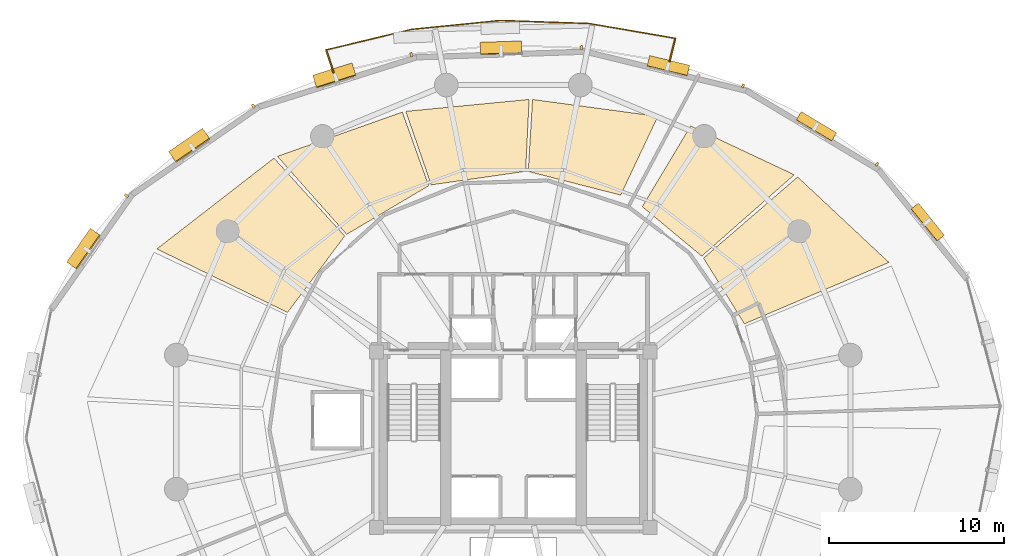
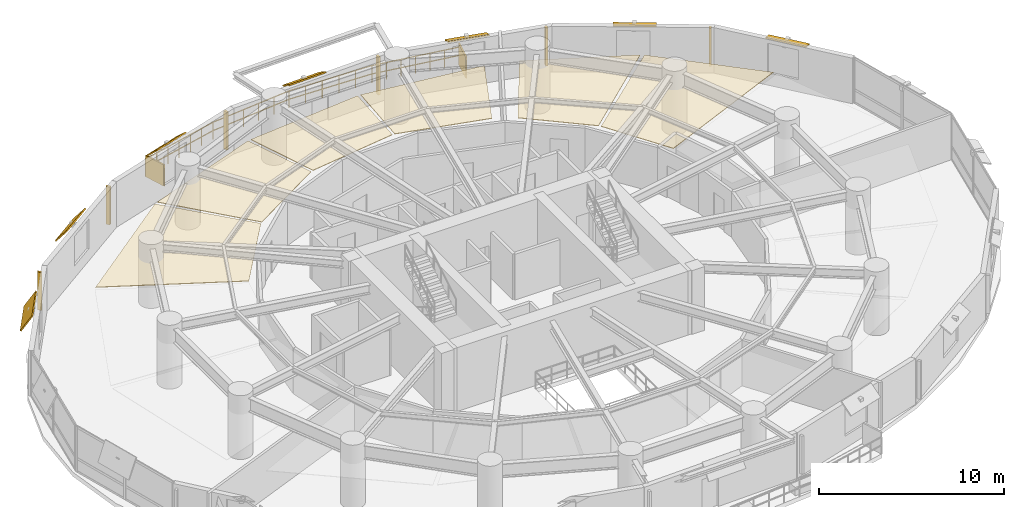
# One storey, part 15 of 15: 15 shading devices, 6 coverings, 1 railing.
"""IFC4 building model written with IfcOpenShell, lengths in metres."""

from ifc_helpers import new_model, si_unit, direction, frame, origin, origin_2d, place, context, subcontext, project, spatial, polyline, rectangle, outline, extrude, material, layer, layer_set, type_object, element, save


model = new_model("IFC4")

# Units and contexts
model_context = context("Model", 3, precision=1e-05, world=origin(), true_north=direction((0.0, 1.0)))
body_context = subcontext(model_context, "Body", "Model", "MODEL_VIEW")
ifc_project = project(units=[si_unit("LENGTHUNIT", "METRE"), si_unit("AREAUNIT", "SQUARE_METRE"), si_unit("VOLUMEUNIT", "CUBIC_METRE"), si_unit("PLANEANGLEUNIT", "RADIAN"), si_unit("MASSUNIT", "GRAM", prefix="KILO"), si_unit("THERMODYNAMICTEMPERATUREUNIT", "KELVIN"), si_unit("POWERUNIT", "WATT")], contexts=[model_context])

# Site, building, storey
site_placement = place(None, origin())
site = spatial("IfcSite", under=ifc_project, at=site_placement, CompositionType="ELEMENT")
building_placement = place(site_placement, origin())
building = spatial("IfcBuilding", under=site, at=building_placement, Name="Ocrelia Relay Tower", CompositionType="ELEMENT")
storey_placement = place(building_placement, frame((0.0, 0.0, 38.39990234375)))
storey = spatial("IfcBuildingStorey", under=building, at=storey_placement, Name="L08", CompositionType="ELEMENT", Elevation=38.39990234375)

# Coverings
ifc_material_1 = material(Name="Mineral-fiber acoustic ceiling tile", Category="gypsum")
ifc_layer_1 = layer(ifc_material_1, 0.0400390625, Name="Mineral-fiber acoustic ceiling tile")
ifc_layer_set_1 = layer_set([ifc_layer_1], Name="Mineral-fiber acoustic ceiling tile")
covering_type_1 = type_object("IfcCoveringType", Name="COV-CEIL-ACOUSTIC", PredefinedType="CEILING", material=ifc_layer_set_1)
covering_1_placement = place(storey_placement, frame((0.0, 0.0, 2.920166015625)))
element("IfcCovering", 1, at=covering_1_placement, inside=storey, type_object=covering_type_1, Name="L08 Operations Control Office Suspended Ceiling 2", PredefinedType="CEILING", context=body_context, shape_type="SweptSolid", body=[
    extrude(outline(polyline([(47.178466796875, 31.602783203125), (55.42333984375, 35.1083984375), (50.21630859375, 39.98095703125), (44.845703125, 35.3505859375), (47.178466796875, 31.602783203125)])), origin(), (0.0, 0.0, 1.0), 0.0400390625),
])
covering_2_placement = place(storey_placement, frame((0.0, 0.0, 2.920166015625)))
element("IfcCovering", 2, at=covering_2_placement, inside=storey, type_object=covering_type_1, Name="L08 Operations Control Office Suspended Ceiling 3", PredefinedType="CEILING", context=body_context, shape_type="SweptSolid", body=[
    extrude(outline(polyline([(44.7470703125, 35.463623046875), (50.02099609375, 40.10791015625), (44.110595703125, 42.893798828125), (41.35400390625, 38.28759765625), (44.7470703125, 35.463623046875)])), origin(), (0.0, 0.0, 1.0), 0.0400390625),
])
ifc_material_2 = material(Name="Cleanroom metal-pan acoustic ceiling", Category="aluminium")
ifc_layer_2 = layer(ifc_material_2, 0.0400390625, Name="Cleanroom metal-pan acoustic ceiling")
ifc_layer_set_2 = layer_set([ifc_layer_2], Name="Cleanroom metal-pan acoustic ceiling")
covering_type_2 = type_object("IfcCoveringType", Name="COV-CEIL-CLEAN", PredefinedType="CEILING", material=ifc_layer_set_2)
covering_3_placement = place(storey_placement, frame((0.0, 0.0, 2.920166015625)))
element("IfcCovering", 3, at=covering_3_placement, inside=storey, type_object=covering_type_2, Name="L08 Colocation Data Hall A Suspended Ceiling 1", PredefinedType="CEILING", context=body_context, shape_type="SweptSolid", body=[
    extrude(outline(polyline([(40.119873046875, 38.946533203125), (42.24365234375, 43.439453125), (35.09326171875, 44.401611328125), (34.849365234375, 40.294921875), (40.119873046875, 38.946533203125)])), origin(), (0.0, 0.0, 1.0), 0.0400390625),
])
covering_4_placement = place(storey_placement, frame((0.0, 0.0, 2.920166015625)))
element("IfcCovering", 4, at=covering_4_placement, inside=storey, type_object=covering_type_2, Name="L08 Colocation Data Hall A Suspended Ceiling 2", PredefinedType="CEILING", context=body_context, shape_type="SweptSolid", body=[
    extrude(outline(polyline([(34.699462890625, 40.302978515625), (34.900146484375, 44.40478515625), (27.8623046875, 43.724609375), (29.314208984375, 39.53173828125), (34.699462890625, 40.302978515625)])), origin(), (0.0, 0.0, 1.0), 0.0400390625),
])
covering_5_placement = place(storey_placement, frame((0.0, 0.0, 2.920166015625)))
element("IfcCovering", 5, at=covering_5_placement, inside=storey, type_object=covering_type_2, Name="L08 Colocation Data Hall A Suspended Ceiling 3", PredefinedType="CEILING", context=body_context, shape_type="SweptSolid", body=[
    extrude(outline(polyline([(29.1728515625, 39.48193359375), (27.66845703125, 43.68310546875), (20.542236328125, 41.15771484375), (24.49267578125, 36.70849609375), (29.1728515625, 39.48193359375)])), origin(), (0.0, 0.0, 1.0), 0.0400390625),
])
covering_6_placement = place(storey_placement, frame((0.0, 0.0, 2.920166015625)))
element("IfcCovering", 6, at=covering_6_placement, inside=storey, type_object=covering_type_2, Name="L08 Colocation Data Hall A Suspended Ceiling 4", PredefinedType="CEILING", context=body_context, shape_type="SweptSolid", body=[
    extrude(outline(polyline([(24.381103515625, 36.6083984375), (20.347412109375, 41.056884765625), (13.664306640625, 35.87451171875), (21.118408203125, 32.2548828125), (24.381103515625, 36.6083984375)])), origin(), (0.0, 0.0, 1.0), 0.0400390625),
])

# Railing
ifc_material_3 = material(Name="Steel S355 balustrade", Category="steel")
railing_type = type_object("IfcRailingType", Name="RL-EXT-GUARD-1150", PredefinedType="GUARDRAIL", material=ifc_material_3)
railing_placement = place(storey_placement, frame((23.749755859375, 45.903564453125, 0.0)))
element("IfcRailing", 7, at=railing_placement, inside=storey, type_object=railing_type, Name="L08 Loggia Balcony Guard Rail B1", PredefinedType="GUARDRAIL", context=body_context, shape_type="SweptSolid", body=[
    extrude(rectangle(XDim=0.048095703125, YDim=0.048095703125, at=origin_2d()), frame((0.0, 0.0, 1.1259765625), z_axis=(-0.301735100856, 0.953391802415, 0.0), x_axis=(-0.953391802415, -0.301735100856, 0.0)), (0.0, 0.0, 1.0), 1.393310546875),
    extrude(rectangle(XDim=0.048095703125, YDim=0.048095703125, at=origin_2d()), frame((0.0, 0.0, 0.574951171875), z_axis=(-0.301735100856, 0.953391802415, 0.0), x_axis=(-0.953391802415, -0.301735100856, 0.0)), (0.0, 0.0, 1.0), 1.393310546875),
    extrude(rectangle(XDim=0.048095703125, YDim=0.048095703125, at=origin_2d()), frame((-0.42041015625, 1.328369140625, 1.1259765625), z_axis=(0.972259766282, 0.233903712818, 0.0), x_axis=(-0.233903712818, 0.972259766282, 0.0)), (0.0, 0.0, 1.0), 2.505126953125),
    extrude(rectangle(XDim=0.048095703125, YDim=0.048095703125, at=origin_2d()), frame((-0.42041015625, 1.328369140625, 0.574951171875), z_axis=(0.972259766282, 0.233903712818, 0.0), x_axis=(-0.233903712818, 0.972259766282, 0.0)), (0.0, 0.0, 1.0), 2.505126953125),
    extrude(rectangle(XDim=0.048095703125, YDim=0.048095703125, at=origin_2d()), frame((2.01513671875, 1.914306640625, 1.1259765625), z_axis=(0.972254433401, 0.233925878713, 0.0), x_axis=(-0.233925878713, 0.972254433401, 0.0)), (0.0, 0.0, 1.0), 2.5048828125),
    extrude(rectangle(XDim=0.048095703125, YDim=0.048095703125, at=origin_2d()), frame((2.01513671875, 1.914306640625, 0.574951171875), z_axis=(0.972254433401, 0.233925878713, 0.0), x_axis=(-0.233925878713, 0.972254433401, 0.0)), (0.0, 0.0, 1.0), 2.5048828125),
    extrude(rectangle(XDim=0.048095703125, YDim=0.048095703125, at=origin_2d()), frame((4.450439453125, 2.500244140625, 1.1259765625), z_axis=(0.994981198551, 0.100062053393, 0.0), x_axis=(-0.100062053393, 0.994981198551, 0.0)), (0.0, 0.0, 1.0), 5.065185546875),
    extrude(rectangle(XDim=0.048095703125, YDim=0.048095703125, at=origin_2d()), frame((4.450439453125, 2.500244140625, 0.574951171875), z_axis=(0.994981198551, 0.100062053393, 0.0), x_axis=(-0.100062053393, 0.994981198551, 0.0)), (0.0, 0.0, 1.0), 5.065185546875),
    extrude(rectangle(XDim=0.048095703125, YDim=0.048095703125, at=origin_2d()), frame((9.490234375, 3.007080078125, 1.1259765625), z_axis=(0.999424120041, -0.033932702219, 0.0), x_axis=(0.033932702219, 0.999424120041, 0.0)), (0.0, 0.0, 1.0), 5.065185546875),
    extrude(rectangle(XDim=0.048095703125, YDim=0.048095703125, at=origin_2d()), frame((9.490234375, 3.007080078125, 0.574951171875), z_axis=(0.999424120041, -0.033932702219, 0.0), x_axis=(0.033932702219, 0.999424120041, 0.0)), (0.0, 0.0, 1.0), 5.065185546875),
    extrude(rectangle(XDim=0.048095703125, YDim=0.048095703125, at=origin_2d()), frame((14.552490234375, 2.835205078125, 1.1259765625), z_axis=(0.985632918791, -0.168901596783, 0.0), x_axis=(0.168901596783, 0.985632918791, 0.0)), (0.0, 0.0, 1.0), 2.5048828125),
    extrude(rectangle(XDim=0.048095703125, YDim=0.048095703125, at=origin_2d()), frame((14.552490234375, 2.835205078125, 0.574951171875), z_axis=(0.985632918791, -0.168901596783, 0.0), x_axis=(0.168901596783, 0.985632918791, 0.0)), (0.0, 0.0, 1.0), 2.5048828125),
    extrude(rectangle(XDim=0.048095703125, YDim=0.048095703125, at=origin_2d()), frame((17.021484375, 2.412109375, 1.1259765625), z_axis=(0.985632918791, -0.168901596783, 0.0), x_axis=(0.168901596783, 0.985632918791, 0.0)), (0.0, 0.0, 1.0), 2.5048828125),
    extrude(rectangle(XDim=0.048095703125, YDim=0.048095703125, at=origin_2d()), frame((17.021484375, 2.412109375, 0.574951171875), z_axis=(0.985632918791, -0.168901596783, 0.0), x_axis=(0.168901596783, 0.985632918791, 0.0)), (0.0, 0.0, 1.0), 2.5048828125),
    extrude(rectangle(XDim=0.048095703125, YDim=0.048095703125, at=origin_2d()), frame((19.490478515625, 1.989013671875, 1.1259765625), z_axis=(-0.23791595281, -0.971285745493, 0.0), x_axis=(0.971285745493, -0.23791595281, 0.0)), (0.0, 0.0, 1.0), 1.3935546875),
    extrude(rectangle(XDim=0.048095703125, YDim=0.048095703125, at=origin_2d()), frame((19.490478515625, 1.989013671875, 0.574951171875), z_axis=(-0.23791595281, -0.971285745493, 0.0), x_axis=(0.971285745493, -0.23791595281, 0.0)), (0.0, 0.0, 1.0), 1.3935546875),
    extrude(rectangle(XDim=0.0419921875, YDim=0.0419921875, at=origin_2d()), origin(), (0.0, 0.0, 1.0), 1.101806640625),
    extrude(rectangle(XDim=0.0419921875, YDim=0.0419921875, at=origin_2d()), frame((-0.210205078125, 0.6640625, 0.0)), (0.0, 0.0, 1.0), 1.101806640625),
    extrude(rectangle(XDim=0.0419921875, YDim=0.0419921875, at=origin_2d()), frame((-0.42041015625, 1.328369140625, 0.0)), (0.0, 0.0, 1.0), 1.101806640625),
    extrude(rectangle(XDim=0.0419921875, YDim=0.0419921875, at=origin_2d()), frame((0.391357421875, 1.523681640625, 0.0)), (0.0, 0.0, 1.0), 1.101806640625),
    extrude(rectangle(XDim=0.0419921875, YDim=0.0419921875, at=origin_2d()), frame((1.203369140625, 1.718994140625, 0.0)), (0.0, 0.0, 1.0), 1.101806640625),
    extrude(rectangle(XDim=0.0419921875, YDim=0.0419921875, at=origin_2d()), frame((2.01513671875, 1.914306640625, 0.0)), (0.0, 0.0, 1.0), 1.101806640625),
    extrude(rectangle(XDim=0.0419921875, YDim=0.0419921875, at=origin_2d()), frame((2.826904296875, 2.109619140625, 0.0)), (0.0, 0.0, 1.0), 1.101806640625),
    extrude(rectangle(XDim=0.0419921875, YDim=0.0419921875, at=origin_2d()), frame((3.638671875, 2.304931640625, 0.0)), (0.0, 0.0, 1.0), 1.101806640625),
    extrude(rectangle(XDim=0.0419921875, YDim=0.0419921875, at=origin_2d()), frame((4.450439453125, 2.500244140625, 0.0)), (0.0, 0.0, 1.0), 1.101806640625),
    extrude(rectangle(XDim=0.0419921875, YDim=0.0419921875, at=origin_2d()), frame((5.45849609375, 2.6015625, 0.0)), (0.0, 0.0, 1.0), 1.101806640625),
    extrude(rectangle(XDim=0.0419921875, YDim=0.0419921875, at=origin_2d()), frame((6.46630859375, 2.702880859375, 0.0)), (0.0, 0.0, 1.0), 1.101806640625),
    extrude(rectangle(XDim=0.0419921875, YDim=0.0419921875, at=origin_2d()), frame((7.474365234375, 2.804443359375, 0.0)), (0.0, 0.0, 1.0), 1.101806640625),
    extrude(rectangle(XDim=0.0419921875, YDim=0.0419921875, at=origin_2d()), frame((8.482177734375, 2.90576171875, 0.0)), (0.0, 0.0, 1.0), 1.101806640625),
    extrude(rectangle(XDim=0.0419921875, YDim=0.0419921875, at=origin_2d()), frame((9.490234375, 3.007080078125, 0.0)), (0.0, 0.0, 1.0), 1.101806640625),
    extrude(rectangle(XDim=0.0419921875, YDim=0.0419921875, at=origin_2d()), frame((10.502685546875, 2.97265625, 0.0)), (0.0, 0.0, 1.0), 1.101806640625),
    extrude(rectangle(XDim=0.0419921875, YDim=0.0419921875, at=origin_2d()), frame((11.51513671875, 2.938232421875, 0.0)), (0.0, 0.0, 1.0), 1.101806640625),
    extrude(rectangle(XDim=0.0419921875, YDim=0.0419921875, at=origin_2d()), frame((12.527587890625, 2.904052734375, 0.0)), (0.0, 0.0, 1.0), 1.101806640625),
    extrude(rectangle(XDim=0.0419921875, YDim=0.0419921875, at=origin_2d()), frame((13.5400390625, 2.86962890625, 0.0)), (0.0, 0.0, 1.0), 1.101806640625),
    extrude(rectangle(XDim=0.0419921875, YDim=0.0419921875, at=origin_2d()), frame((14.552490234375, 2.835205078125, 0.0)), (0.0, 0.0, 1.0), 1.101806640625),
    extrude(rectangle(XDim=0.0419921875, YDim=0.0419921875, at=origin_2d()), frame((15.37548828125, 2.694091796875, 0.0)), (0.0, 0.0, 1.0), 1.101806640625),
    extrude(rectangle(XDim=0.0419921875, YDim=0.0419921875, at=origin_2d()), frame((16.198486328125, 2.55322265625, 0.0)), (0.0, 0.0, 1.0), 1.101806640625),
    extrude(rectangle(XDim=0.0419921875, YDim=0.0419921875, at=origin_2d()), frame((17.021484375, 2.412109375, 0.0)), (0.0, 0.0, 1.0), 1.101806640625),
    extrude(rectangle(XDim=0.0419921875, YDim=0.0419921875, at=origin_2d()), frame((17.844482421875, 2.27099609375, 0.0)), (0.0, 0.0, 1.0), 1.101806640625),
    extrude(rectangle(XDim=0.0419921875, YDim=0.0419921875, at=origin_2d()), frame((18.66748046875, 2.130126953125, 0.0)), (0.0, 0.0, 1.0), 1.101806640625),
    extrude(rectangle(XDim=0.0419921875, YDim=0.0419921875, at=origin_2d()), frame((19.490478515625, 1.989013671875, 0.0)), (0.0, 0.0, 1.0), 1.101806640625),
    extrude(rectangle(XDim=0.0419921875, YDim=0.0419921875, at=origin_2d()), frame((19.32470703125, 1.312255859375, 0.0)), (0.0, 0.0, 1.0), 1.101806640625),
    extrude(rectangle(XDim=0.0419921875, YDim=0.0419921875, at=origin_2d()), frame((19.158935546875, 0.635498046875, 0.0)), (0.0, 0.0, 1.0), 1.101806640625),
])

# Shading devices
ifc_material_4 = material(Name="Perforated oxide terracotta solar screen", Category="masonry")
ifc_layer_3 = layer(ifc_material_4, 0.090087890625, Name="Perforated oxide terracotta solar screen")
ifc_layer_set_3 = layer_set([ifc_layer_3], Name="Perforated oxide terracotta solar screen")
shading_device_type_1 = type_object("IfcShadingDeviceType", Name="SH-BALC-SCREEN", PredefinedType="USERDEFINED", material=ifc_layer_set_3)
for number, where, z_axis, x_axis, name in (
    (8, (43.074462890625, 47.2158203125, 0.000244140625), (0.0, 0.0, 1.0), (0.23788945417, 0.971292235939, 0.0), "L08 Balcony Perforated Terracotta Screen B1-1"),
    (9, (23.53955078125, 46.56787109375, 0.000244140625), (0.0, 0.0, 1.0), (-0.30176669072, 0.953381804091, 0.0), "L08 Balcony Perforated Terracotta Screen B1-2"),
):
    element("IfcShadingDevice", number, at=place(storey_placement, frame(where, z_axis=z_axis, x_axis=x_axis)), inside=storey, type_object=shading_device_type_1, Name=name, ObjectType="SCREEN", PredefinedType="USERDEFINED", context=body_context, shape_type="SweptSolid", body=[
        extrude(rectangle(XDim=1.340087890625, YDim=0.090087890625, at=origin_2d()), origin(), (0.0, 0.0, 1.0), 1.39990234375),
    ])
ifc_material_5 = material(Name="Extruded oxide terracotta vertical baguette", Category="masonry")
shading_device_type_2 = type_object("IfcShadingDeviceType", Name="SH-TERR-BAGUETTE", PredefinedType="USERDEFINED", material=ifc_material_5)
for number, where, z_axis, x_axis, name in (
    (10, (54.7421875, 40.71044921875, 0.25), (0.0, 0.0, 1.0), (-0.858622807297, 0.512607915263, 0.0), "L08 Oxide Terracotta Vertical Baguette 03"),
    (11, (47.10205078125, 45.17724609375, 0.25), (0.0, 0.0, 1.0), (-0.971624686713, 0.23652794374, 0.0), "L08 Oxide Terracotta Vertical Baguette 04"),
    (12, (37.8818359375, 47.3466796875, 0.25), (0.0, 0.0, 1.0), (-0.999450239567, -0.033154466215, 0.0), "L08 Oxide Terracotta Vertical Baguette 05"),
    (13, (28.181884765625, 46.9521484375, 0.25), (0.0, 0.0, 1.0), (-0.953809765377, -0.300411270547, 0.0), "L08 Oxide Terracotta Vertical Baguette 06"),
    (14, (19.16796875, 44.028076171875, 0.25), (0.0, 0.0, 1.0), (-0.822773563062, -0.568369302414, 0.0), "L08 Oxide Terracotta Vertical Baguette 07"),
    (15, (11.935546875, 38.913818359375, 0.25), (0.0, 0.0, 1.0), (-0.574989950059, -0.818160471626, 0.0), "L08 Oxide Terracotta Vertical Baguette 08"),
):
    element("IfcShadingDevice", number, at=place(storey_placement, frame(where, z_axis=z_axis, x_axis=x_axis)), inside=storey, type_object=shading_device_type_2, Name=name, ObjectType="BAGUETTE", PredefinedType="USERDEFINED", context=body_context, shape_type="SweptSolid", body=[
        extrude(rectangle(XDim=0.139892578125, YDim=0.239990234375, at=origin_2d()), origin(), (0.0, 0.0, 1.0), 2.5),
    ])
ifc_material_6 = material(Name="Extruded oxide terracotta fin", Category="masonry")
ifc_layer_4 = layer(ifc_material_6, 0.080078125, Name="Extruded oxide terracotta fin")
ifc_layer_set_4 = layer_set([ifc_layer_4], Name="Extruded oxide terracotta fin")
shading_device_type_3 = type_object("IfcShadingDeviceType", Name="SH-VISOR-FIN-DEEP", PredefinedType="USERDEFINED", material=ifc_layer_set_4)
shading_device_1_placement = place(storey_placement, frame((9.517333984375, 35.86474609375, 2.819091796875), z_axis=(-0.696699621563, 0.489629228619, 0.524283182828), x_axis=(-0.574989950059, -0.818160471626, 0.0)))
element("IfcShadingDevice", 16, at=shading_device_1_placement, inside=storey, type_object=shading_device_type_3, Name="L08 Canted Terracotta Sun-Visor Fin 08", ObjectType="FIN", PredefinedType="USERDEFINED", context=body_context, shape_type="SweptSolid", body=[
    extrude(rectangle(XDim=2.35009765625, YDim=1.222900390625, at=origin_2d()), origin(), (0.0, 0.0, 1.0), 0.080078125),
])
ifc_layer_5 = layer(ifc_material_6, 0.080078125, Name="Extruded oxide terracotta fin")
ifc_layer_set_5 = layer_set([ifc_layer_5], Name="Extruded oxide terracotta fin")
shading_device_type_4 = type_object("IfcShadingDeviceType", Name="SH-VISOR-FIN-MED", PredefinedType="USERDEFINED", material=ifc_layer_set_5)
shading_device_2_placement = place(storey_placement, frame((33.292724609375, 47.3251953125, 2.806396484375), z_axis=(-0.017852906922, 0.538180647653, 0.84264041216), x_axis=(-0.999450239567, -0.033154466215, 0.0)))
element("IfcShadingDevice", 17, at=shading_device_2_placement, inside=storey, type_object=shading_device_type_4, Name="L08 Canted Terracotta Sun-Visor Fin 05", ObjectType="FIN", PredefinedType="USERDEFINED", context=body_context, shape_type="SweptSolid", body=[
    extrude(rectangle(XDim=2.35009765625, YDim=0.79296875, at=origin_2d()), origin(), (0.0, 0.0, 1.0), 0.080078125),
])
shading_device_3_placement = place(storey_placement, frame((23.798583984375, 45.746337890625, 2.810791015625), z_axis=(-0.204764927517, 0.650131358643, 0.731710694857), x_axis=(-0.953809765377, -0.300411270547, 0.0)))
element("IfcShadingDevice", 18, at=shading_device_3_placement, inside=storey, type_object=shading_device_type_4, Name="L08 Canted Terracotta Sun-Visor Fin 06", ObjectType="FIN", PredefinedType="USERDEFINED", context=body_context, shape_type="SweptSolid", body=[
    extrude(rectangle(XDim=2.35009765625, YDim=0.966064453125, at=origin_2d()), origin(), (0.0, 0.0, 1.0), 0.080078125),
])
shading_device_4_placement = place(storey_placement, frame((15.537353515625, 41.757568359375, 2.8154296875), z_axis=(-0.447575586324, 0.647912120403, 0.616348909921), x_axis=(-0.822773563062, -0.568369302414, 0.0)))
element("IfcShadingDevice", 19, at=shading_device_4_placement, inside=storey, type_object=shading_device_type_4, Name="L08 Canted Terracotta Sun-Visor Fin 07", ObjectType="FIN", PredefinedType="USERDEFINED", context=body_context, shape_type="SweptSolid", body=[
    extrude(rectangle(XDim=2.35009765625, YDim=1.115966796875, at=origin_2d()), origin(), (0.0, 0.0, 1.0), 0.080078125),
])
ifc_layer_6 = layer(ifc_material_6, 0.080078125, Name="Extruded oxide terracotta fin")
ifc_layer_set_6 = layer_set([ifc_layer_6], Name="Extruded oxide terracotta fin")
shading_device_type_5 = type_object("IfcShadingDeviceType", Name="SH-VISOR-FIN-SHAL", PredefinedType="USERDEFINED", material=ifc_layer_set_6)
shading_device_5_placement = place(storey_placement, frame((57.622314453125, 37.397216796875, 2.802001953125), z_axis=(0.240490808421, 0.194050699245, 0.951056516295), x_axis=(-0.627961253838, 0.778244604015, 0.0)))
element("IfcShadingDevice", 20, at=shading_device_5_placement, inside=storey, type_object=shading_device_type_5, Name="L08 Canted Terracotta Sun-Visor Fin 02", ObjectType="FIN", PredefinedType="USERDEFINED", context=body_context, shape_type="SweptSolid", body=[
    extrude(rectangle(XDim=2.35009765625, YDim=0.550048828125, at=origin_2d()), origin(), (0.0, 0.0, 1.0), 0.080078125),
])
shading_device_6_placement = place(storey_placement, frame((51.27783203125, 42.855712890625, 2.80224609375), z_axis=(0.169846424252, 0.284494267955, 0.943512164028), x_axis=(-0.858622807297, 0.512607915263, 0.0)))
element("IfcShadingDevice", 21, at=shading_device_6_placement, inside=storey, type_object=shading_device_type_5, Name="L08 Canted Terracotta Sun-Visor Fin 03", ObjectType="FIN", PredefinedType="USERDEFINED", context=body_context, shape_type="SweptSolid", body=[
    extrude(rectangle(XDim=2.35009765625, YDim=0.572021484375, at=origin_2d()), origin(), (0.0, 0.0, 1.0), 0.080078125),
])
shading_device_7_placement = place(storey_placement, frame((42.837646484375, 46.308837890625, 2.803466796875), z_axis=(0.096280001778, 0.395505178309, 0.913403424117), x_axis=(-0.971624686713, 0.23652794374, 0.0)))
element("IfcShadingDevice", 22, at=shading_device_7_placement, inside=storey, type_object=shading_device_type_5, Name="L08 Canted Terracotta Sun-Visor Fin 04", ObjectType="FIN", PredefinedType="USERDEFINED", context=body_context, shape_type="SweptSolid", body=[
    extrude(rectangle(XDim=2.35009765625, YDim=0.64990234375, at=origin_2d()), origin(), (0.0, 0.0, 1.0), 0.080078125),
])

save(model, "model.ifc")
